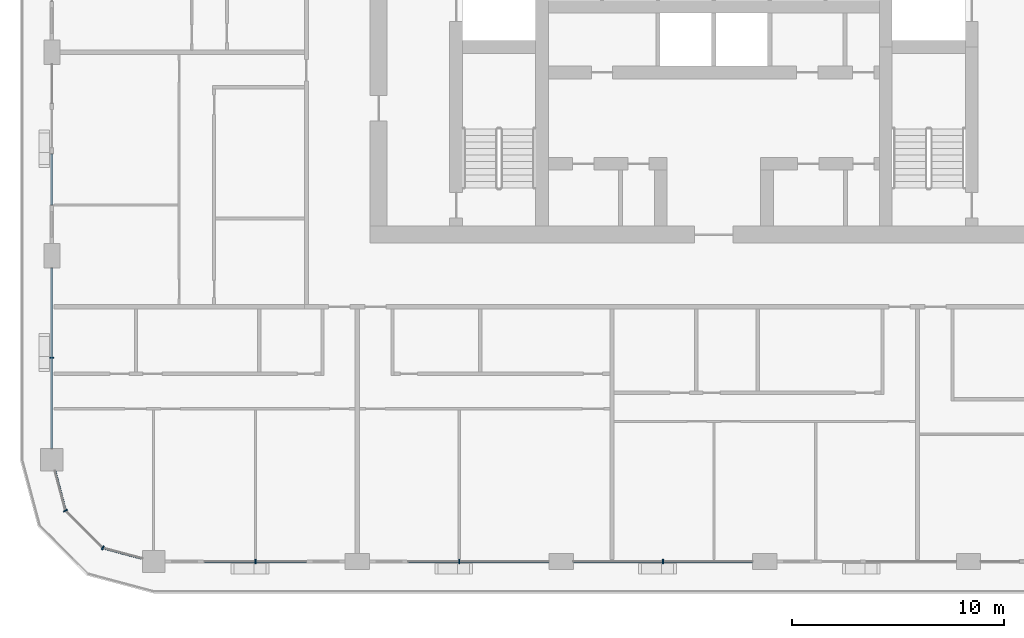
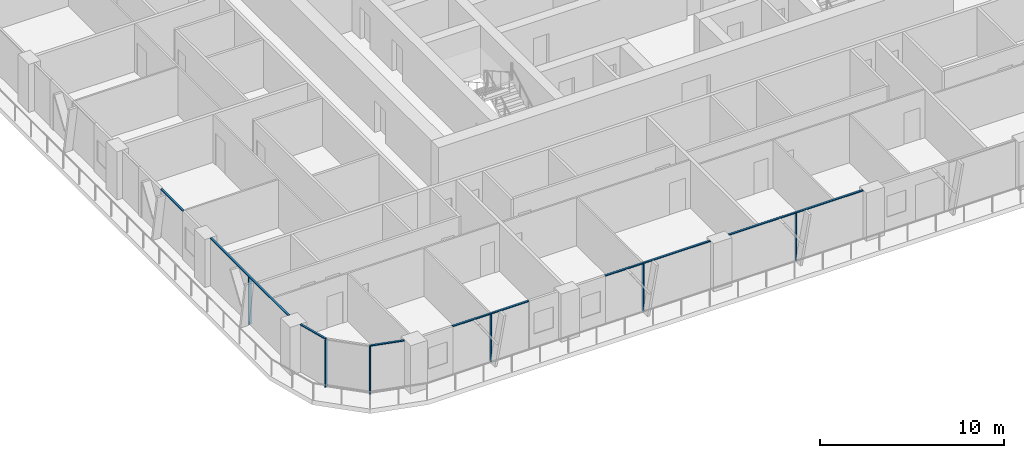
# One storey, part 2 of 22: 13 members, 6 elements without a shape of their own.
"""IFC4 building model written with IfcOpenShell, lengths in metres."""

from ifc_helpers import new_model, si_unit, direction, frame, origin, origin_2d, place, context, subcontext, project, spatial, rectangle, extrude, material, layer, layer_set, material_profile, profile_set, type_object, element, aggregate, save


model = new_model("IFC4")

# Units and contexts
model_context = context("Model", 3, precision=1e-05, world=origin(), true_north=direction((0.0, 1.0)))
body_context = subcontext(model_context, "Body", "Model", "MODEL_VIEW")
ifc_project = project(units=[si_unit("LENGTHUNIT", "METRE"), si_unit("AREAUNIT", "SQUARE_METRE"), si_unit("VOLUMEUNIT", "CUBIC_METRE"), si_unit("PLANEANGLEUNIT", "RADIAN"), si_unit("MASSUNIT", "GRAM", prefix="KILO")], contexts=[model_context])

# Site, building, storey
site_placement = place(None, origin())
site = spatial("IfcSite", under=ifc_project, at=site_placement, CompositionType="ELEMENT")
building_placement = place(site_placement, origin())
building = spatial("IfcBuilding", under=site, at=building_placement, Name="Madar Terraces", CompositionType="ELEMENT")
storey_placement = place(building_placement, frame((0.0, 0.0, 149.0)))
storey = spatial("IfcBuildingStorey", under=building, at=storey_placement, Name="L38", CompositionType="ELEMENT", Elevation=149.0)

# Curtain wall, member
ifc_material_1 = material(Name="Glass, ceramic frit dark grey, with black aluminium frame", Category="aluminium")
ifc_layer = layer(ifc_material_1, 0.199951171875)
ifc_layer_set = layer_set([ifc_layer], Name="Facade curtain wall, fritted glass")
curtain_wall_type = type_object("IfcCurtainWallType", Name="Facade curtain wall, fritted glass", PredefinedType="NOTDEFINED", material=ifc_layer_set)
curtain_wall_1_placement = place(storey_placement, origin())
curtain_wall_1 = element("IfcCurtainWall", 1, at=curtain_wall_1_placement, inside=storey, type_object=curtain_wall_type, Name="Outer skin curtain wall south bay 1", PredefinedType="NOTDEFINED")
ifc_material_2 = material(Name="Aluminium, black anodised", Category="aluminium")
ifc_material_profile_1 = material_profile(ifc_material_2, rectangle(XDim=0.199951171875, YDim=0.06005859375, at=origin_2d()), Name="Facade mullion 60x200")
ifc_profile_set_1 = profile_set([ifc_material_profile_1], Name="Aluminium, black anodised")
member_type_1 = type_object("IfcMemberType", Name="Facade mullion 60x200", PredefinedType="MULLION", material=ifc_profile_set_1)
member_1_placement = place(storey_placement, frame((9.60009765625, 0.0, 0.0), z_axis=(0.0, 0.0, 1.0), x_axis=(0.0, 1.0, 0.0)))
member_1 = element("IfcMember", 2, at=member_1_placement, type_object=member_type_1, Name="Mullion 1", PredefinedType="MULLION", context=body_context, shape_type="SweptSolid", body=[
    extrude(rectangle(XDim=0.199951171875, YDim=0.06005859375, at=origin_2d()), origin(), (0.0, 0.0, 1.0), 3.139892578125),
])

curtain_wall_2_placement = place(storey_placement, origin())
curtain_wall_2 = element("IfcCurtainWall", 3, at=curtain_wall_2_placement, inside=storey, type_object=curtain_wall_type, Name="Outer skin curtain wall south bay 2", PredefinedType="NOTDEFINED")
member_2_placement = place(storey_placement, frame((19.199951171875, 0.0, 0.0), z_axis=(0.0, 0.0, 1.0), x_axis=(0.0, 1.0, 0.0)))
member_2 = element("IfcMember", 4, at=member_2_placement, type_object=member_type_1, Name="Mullion 1", PredefinedType="MULLION", context=body_context, shape_type="SweptSolid", body=[
    extrude(rectangle(XDim=0.199951171875, YDim=0.06005859375, at=origin_2d()), origin(), (0.0, 0.0, 1.0), 3.139892578125),
])

curtain_wall_3_placement = place(storey_placement, origin())
curtain_wall_3 = element("IfcCurtainWall", 5, at=curtain_wall_3_placement, inside=storey, type_object=curtain_wall_type, Name="Outer skin curtain wall south bay 3", PredefinedType="NOTDEFINED")
member_3_placement = place(storey_placement, frame((28.800048828125, 0.0, 0.0), z_axis=(0.0, 0.0, 1.0), x_axis=(0.0, 1.0, 0.0)))
member_3 = element("IfcMember", 6, at=member_3_placement, type_object=member_type_1, Name="Mullion 1", PredefinedType="MULLION", context=body_context, shape_type="SweptSolid", body=[
    extrude(rectangle(XDim=0.199951171875, YDim=0.06005859375, at=origin_2d()), origin(), (0.0, 0.0, 1.0), 3.139892578125),
])

curtain_wall_4_placement = place(storey_placement, origin())
curtain_wall_4 = element("IfcCurtainWall", 7, at=curtain_wall_4_placement, inside=storey, type_object=curtain_wall_type, Name="Outer skin curtain wall west bay 4", PredefinedType="NOTDEFINED")
member_4_placement = place(storey_placement, frame((0.0, 9.60009765625, 0.0), z_axis=(0.0, 0.0, 1.0), x_axis=(1.0, 0.0, 0.0)))
member_4 = element("IfcMember", 8, at=member_4_placement, type_object=member_type_1, Name="Mullion 1", PredefinedType="MULLION", context=body_context, shape_type="SweptSolid", body=[
    extrude(rectangle(XDim=0.199951171875, YDim=0.06005859375, at=origin_2d()), origin(), (0.0, 0.0, 1.0), 3.139892578125),
])

# Curtain wall, members
curtain_wall_5_placement = place(storey_placement, origin())
curtain_wall_5 = element("IfcCurtainWall", 9, at=curtain_wall_5_placement, inside=storey, type_object=curtain_wall_type, Name="Outer skin curtain wall south-west corner", PredefinedType="NOTDEFINED")
member_5_placement = place(storey_placement, frame((0.64306640625, 2.39990234375, 0.0), z_axis=(0.0, 0.0, 1.0), x_axis=(0.866025409797, 0.499999989586, 0.0)))
member_5 = element("IfcMember", 10, at=member_5_placement, type_object=member_type_1, Name="Mullion 1", PredefinedType="MULLION", context=body_context, shape_type="SweptSolid", body=[
    extrude(rectangle(XDim=0.199951171875, YDim=0.06005859375, at=origin_2d()), origin(), (0.0, 0.0, 1.0), 3.139892578125),
])
member_6_placement = place(storey_placement, frame((2.39990234375, 0.64306640625, 0.0), z_axis=(0.0, 0.0, 1.0), x_axis=(0.499999989586, 0.866025409797, 0.0)))
member_6 = element("IfcMember", 11, at=member_6_placement, type_object=member_type_1, Name="Mullion 2", PredefinedType="MULLION", context=body_context, shape_type="SweptSolid", body=[
    extrude(rectangle(XDim=0.199951171875, YDim=0.06005859375, at=origin_2d()), origin(), (0.0, 0.0, 1.0), 3.139892578125),
])

# Member
ifc_material_3 = material(Name="Aluminium, black anodised", Category="aluminium")
ifc_material_profile_2 = material_profile(ifc_material_3, rectangle(XDim=0.1201171875, YDim=0.06005859375, at=origin_2d()), Name="Facade transom 60x120")
ifc_profile_set_2 = profile_set([ifc_material_profile_2], Name="Aluminium, black anodised")
member_type_2 = type_object("IfcMemberType", Name="Facade transom 60x120", PredefinedType="USERDEFINED", material=ifc_profile_set_2)
member_7_placement = place(storey_placement, frame((7.199951171875, 0.0, 3.169921875), z_axis=(1.0, 0.0, 0.0), x_axis=(0.0, 1.0, 0.0)))
member_7 = element("IfcMember", 12, at=member_7_placement, type_object=member_type_2, Name="Transom 1", ObjectType="TRANSOM", PredefinedType="USERDEFINED", context=body_context, shape_type="SweptSolid", body=[
    extrude(rectangle(XDim=0.1201171875, YDim=0.06005859375, at=origin_2d()), origin(), (0.0, 0.0, 1.0), 4.800048828125),
])

aggregate(curtain_wall_1, [member_1, member_7])

member_8_placement = place(storey_placement, frame((16.800048828125, 0.0, 3.169921875), z_axis=(1.0, 0.0, 0.0), x_axis=(0.0, 1.0, 0.0)))
member_8 = element("IfcMember", 13, at=member_8_placement, type_object=member_type_2, Name="Transom 1", ObjectType="TRANSOM", PredefinedType="USERDEFINED", context=body_context, shape_type="SweptSolid", body=[
    extrude(rectangle(XDim=0.1201171875, YDim=0.06005859375, at=origin_2d()), origin(), (0.0, 0.0, 1.0), 6.625),
])

aggregate(curtain_wall_2, [member_2, member_8])

member_9_placement = place(storey_placement, frame((24.574951171875, 0.0, 3.169921875), z_axis=(1.0, 0.0, 0.0), x_axis=(0.0, 1.0, 0.0)))
member_9 = element("IfcMember", 14, at=member_9_placement, type_object=member_type_2, Name="Transom 1", ObjectType="TRANSOM", PredefinedType="USERDEFINED", context=body_context, shape_type="SweptSolid", body=[
    extrude(rectangle(XDim=0.1201171875, YDim=0.06005859375, at=origin_2d()), origin(), (0.0, 0.0, 1.0), 8.449951171875),
])

aggregate(curtain_wall_3, [member_3, member_9])

# Curtain wall, member
curtain_wall_6_placement = place(storey_placement, origin())
curtain_wall_6 = element("IfcCurtainWall", 15, at=curtain_wall_6_placement, inside=storey, type_object=curtain_wall_type, Name="Outer skin curtain wall west bay 3", PredefinedType="NOTDEFINED")
member_10_placement = place(storey_placement, frame((0.0, 19.199951171875, 3.169921875), z_axis=(0.0, -1.0, 0.0), x_axis=(1.0, 0.0, 0.0)))
member_10 = element("IfcMember", 16, at=member_10_placement, type_object=member_type_2, Name="Transom 2", ObjectType="TRANSOM", PredefinedType="USERDEFINED", context=body_context, shape_type="SweptSolid", body=[
    extrude(rectangle(XDim=0.1201171875, YDim=0.06005859375, at=origin_2d()), origin(), (0.0, 0.0, 1.0), 2.39990234375),
])
aggregate(curtain_wall_6, [member_10])

# Member
member_11_placement = place(storey_placement, frame((0.0, 13.824951171875, 3.169921875), z_axis=(0.0, -1.0, 0.0), x_axis=(1.0, 0.0, 0.0)))
member_11 = element("IfcMember", 17, at=member_11_placement, type_object=member_type_2, Name="Transom 1", ObjectType="TRANSOM", PredefinedType="USERDEFINED", context=body_context, shape_type="SweptSolid", body=[
    extrude(rectangle(XDim=0.1201171875, YDim=0.06005859375, at=origin_2d()), origin(), (0.0, 0.0, 1.0), 8.5),
])

aggregate(curtain_wall_4, [member_4, member_11])

member_12_placement = place(storey_placement, frame((0.140625, 4.27490234375, 3.169921875), z_axis=(0.258823354654, -0.965924671538, 0.0), x_axis=(0.965924671538, 0.258823354654, 0.0)))
member_12 = element("IfcMember", 18, at=member_12_placement, type_object=member_type_2, Name="Transom 1", ObjectType="TRANSOM", PredefinedType="USERDEFINED", context=body_context, shape_type="SweptSolid", body=[
    extrude(rectangle(XDim=0.1201171875, YDim=0.06005859375, at=origin_2d()), origin(), (0.0, 0.0, 1.0), 1.9111328125),
])

member_13_placement = place(storey_placement, frame((2.428955078125, 0.63525390625, 3.169921875), z_axis=(0.965924671538, -0.258823354654, 0.0), x_axis=(0.258823354654, 0.965924671538, 0.0)))
member_13 = element("IfcMember", 19, at=member_13_placement, type_object=member_type_2, Name="Transom 3", ObjectType="TRANSOM", PredefinedType="USERDEFINED", context=body_context, shape_type="SweptSolid", body=[
    extrude(rectangle(XDim=0.1201171875, YDim=0.06005859375, at=origin_2d()), origin(), (0.0, 0.0, 1.0), 1.9111328125),
])

aggregate(curtain_wall_5, [member_5, member_12, member_6, member_13])

save(model, "model.ifc")
